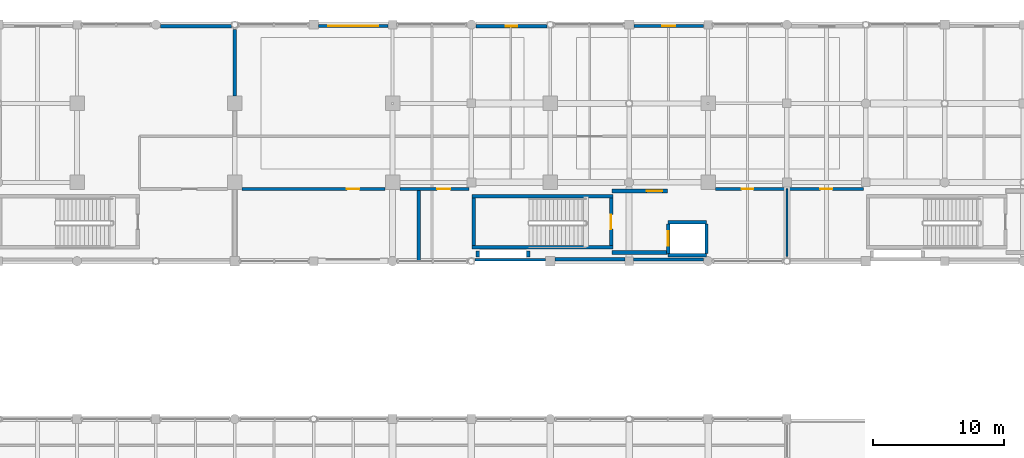
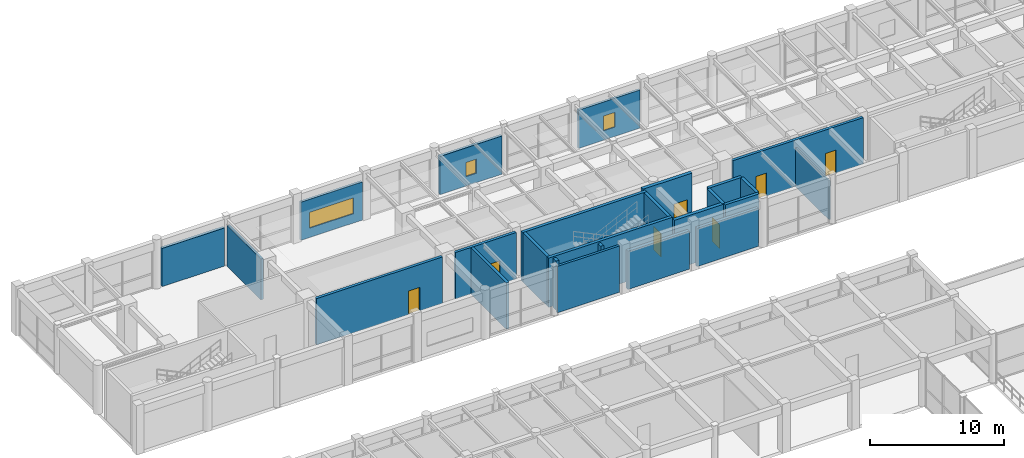
# One storey, part 92 of 116: 25 walls, 7 doors, 3 windows, 10 openings.
"""IFC4 building model written with IfcOpenShell, lengths in metres."""

from ifc_helpers import new_model, si_unit, direction, frame, frame_2d, origin, place, context, subcontext, project, spatial, rectangle, extrude, material, layer, layer_set, type_object, element, fill, save


model = new_model("IFC4")

# Units and contexts
model_context = context("Model", 3, precision=1e-05, world=origin(), true_north=direction((0.0, 1.0)))
body_context = subcontext(model_context, "Body", "Model", "MODEL_VIEW")
ifc_project = project(units=[si_unit("LENGTHUNIT", "METRE"), si_unit("AREAUNIT", "SQUARE_METRE"), si_unit("VOLUMEUNIT", "CUBIC_METRE"), si_unit("PLANEANGLEUNIT", "RADIAN"), si_unit("MASSUNIT", "GRAM", prefix="KILO"), si_unit("THERMODYNAMICTEMPERATUREUNIT", "KELVIN"), si_unit("POWERUNIT", "WATT")], contexts=[model_context])

# Site, building, storey
site_placement = place(None, origin())
site = spatial("IfcSite", under=ifc_project, at=site_placement, CompositionType="ELEMENT")
building_placement = place(site_placement, origin())
building = spatial("IfcBuilding", under=site, at=building_placement, Name="Phaisarnlok Congress Hotel", CompositionType="ELEMENT")
storey_placement = place(building_placement, frame((0.0, 0.0, 10.5)))
storey = spatial("IfcBuildingStorey", under=building, at=storey_placement, Name="L02", CompositionType="ELEMENT", Elevation=10.5)

# Wall
ifc_material_1 = material(Name="Concrete C40/50", Category="concrete")
ifc_layer_1 = layer(ifc_material_1, 0.2099609375, Name="Concrete C40/50")
ifc_layer_set_1 = layer_set([ifc_layer_1], Name="Concrete C40/50")
wall_type_1 = type_object("IfcWallType", Name="WL-EXT-210", PredefinedType="SOLIDWALL", material=ifc_layer_set_1)
wall_1_placement = place(storey_placement, frame((102.259033203125, 108.10498046875, 0.0), z_axis=(0.0, 0.0, 1.0), x_axis=(1.0, 0.0, 0.0)))
element("IfcWall", 1, at=wall_1_placement, inside=storey, type_object=wall_type_1, Name="Exterior wall EW-07 (L02)", PredefinedType="SOLIDWALL", context=body_context, shape_type="SweptSolid", body=[
    extrude(rectangle(XDim=5.385986328125, YDim=0.2099609375, at=frame_2d((2.69287109375, 0.0))), origin(), (0.0, 0.0, 1.0), 4.239990234375),
])

# Wall, opening, window
wall_2_placement = place(storey_placement, frame((119.669921875, 125.89501953125, 0.0), z_axis=(0.0, 0.0, 1.0), x_axis=(-1.0, 0.0, 0.0)))
wall_2 = element("IfcWall", 2, at=wall_2_placement, inside=storey, type_object=wall_type_1, Name="Exterior wall EW-07 (L02)", PredefinedType="SOLIDWALL", context=body_context, shape_type="SweptSolid", body=[
    extrude(rectangle(XDim=5.31494140625, YDim=0.2099609375, at=frame_2d((2.657470703125, 0.0))), origin(), (0.0, 0.0, 1.0), 3.489990234375),
])
opening_1_placement = place(wall_2_placement, frame((2.156982421875, 0.0, 0.85009765625)))
opening_1 = element("IfcOpeningElement", 3, at=opening_1_placement, cuts=wall_2, Name="Opening W-15", PredefinedType="OPENING", context=body_context, shape_type="SweptSolid", body=[
    extrude(rectangle(XDim=1.0, YDim=1.35009765625, at=frame_2d((0.5, 0.675048828125))), frame((0.0, 0.114990234375, 0.0), z_axis=(0.0, -1.0, 0.0), x_axis=(1.0, 0.0, 0.0)), (0.0, 0.0, 1.0), 0.22998046875),
])
ifc_material_2 = material(Name="Thermally Broken Aluminium & Low-E Double Glazing", Category="aluminium")
window_type_1 = type_object("IfcWindowType", Name="WIN-POD-1000", PartitioningType="SINGLE_PANEL", PredefinedType="WINDOW", material=ifc_material_2)
window_1_placement = place(opening_1_placement, origin())
window_1 = element("IfcWindow", 4, at=window_1_placement, inside=storey, type_object=window_type_1, Name="Podium window W-15 (L02)", OverallHeight=1.35009765625, OverallWidth=1.0, PartitioningType="SINGLE_PANEL", PredefinedType="WINDOW", context=body_context, shape_type="SweptSolid", body=[
    extrude(rectangle(XDim=1.0, YDim=1.35009765625, at=frame_2d((0.5, 0.675048828125))), frame((0.0, 0.030029296875, 0.0), z_axis=(0.0, -1.0, 0.0), x_axis=(1.0, 0.0, 0.0)), (0.0, 0.0, 1.0), 0.06005859375),
])
fill(opening_1, window_1)

wall_3_placement = place(storey_placement, frame((95.669921875, 125.89501953125, 0.0), z_axis=(0.0, 0.0, 1.0), x_axis=(-1.0, 0.0, 0.0)))
wall_3 = element("IfcWall", 5, at=wall_3_placement, inside=storey, type_object=wall_type_1, Name="Exterior wall EW-07 (L02)", PredefinedType="SOLIDWALL", context=body_context, shape_type="SweptSolid", body=[
    extrude(rectangle(XDim=5.31494140625, YDim=0.2099609375, at=frame_2d((2.657470703125, 0.0))), origin(), (0.0, 0.0, 1.0), 3.489990234375),
])
opening_2_placement = place(wall_3_placement, frame((0.757080078125, 0.0, 0.85009765625)))
opening_2 = element("IfcOpeningElement", 6, at=opening_2_placement, cuts=wall_3, Name="Opening W-17", PredefinedType="OPENING", context=body_context, shape_type="SweptSolid", body=[
    extrude(rectangle(XDim=3.800048828125, YDim=1.449951171875, at=frame_2d((1.89990234375, 0.72509765625))), frame((0.0, 0.114990234375, 0.0), z_axis=(0.0, -1.0, 0.0), x_axis=(1.0, 0.0, 0.0)), (0.0, 0.0, 1.0), 0.22998046875),
])
window_type_2 = type_object("IfcWindowType", Name="WIN-RIB-3800", PartitioningType="SINGLE_PANEL", PredefinedType="WINDOW", material=ifc_material_2)
window_2_placement = place(opening_2_placement, origin())
window_2 = element("IfcWindow", 7, at=window_2_placement, inside=storey, type_object=window_type_2, Name="Podium window W-17 (L02)", OverallHeight=1.449951171875, OverallWidth=3.800048828125, PartitioningType="SINGLE_PANEL", PredefinedType="WINDOW", context=body_context, shape_type="SweptSolid", body=[
    extrude(rectangle(XDim=3.800048828125, YDim=1.449951171875, at=frame_2d((1.89990234375, 0.72509765625))), frame((0.0, 0.030029296875, 0.0), z_axis=(0.0, -1.0, 0.0), x_axis=(1.0, 0.0, 0.0)), (0.0, 0.0, 1.0), 0.06005859375),
])
fill(opening_2, window_2)

# Wall
ifc_layer_2 = layer(ifc_material_1, 0.25, Name="Concrete C40/50")
ifc_layer_set_2 = layer_set([ifc_layer_2], Name="Concrete C40/50")
wall_type_2 = type_object("IfcWallType", Name="WL-EXT-250", PredefinedType="SOLIDWALL", material=ifc_layer_set_2)
wall_4_placement = place(storey_placement, frame((114.330078125, 108.125, 0.0), z_axis=(0.0, 0.0, 1.0), x_axis=(1.0, 0.0, 0.0)))
element("IfcWall", 8, at=wall_4_placement, inside=storey, type_object=wall_type_2, Name="Exterior wall EW-05 (L02)", PredefinedType="SOLIDWALL", context=body_context, shape_type="SweptSolid", body=[
    extrude(rectangle(XDim=5.31494140625, YDim=0.25, at=frame_2d((2.657470703125, 0.0))), origin(), (0.0, 0.0, 1.0), 3.489990234375),
])

# Wall, opening, window
wall_5_placement = place(storey_placement, frame((107.740966796875, 125.875, 0.0), z_axis=(0.0, 0.0, 1.0), x_axis=(-1.0, 0.0, 0.0)))
wall_5 = element("IfcWall", 9, at=wall_5_placement, inside=storey, type_object=wall_type_2, Name="Exterior wall EW-05 (L02)", PredefinedType="SOLIDWALL", context=body_context, shape_type="SweptSolid", body=[
    extrude(rectangle(XDim=5.385986328125, YDim=0.25, at=frame_2d((2.69287109375, 0.0))), origin(), (0.0, 0.0, 1.0), 3.489990234375),
])
opening_3_placement = place(wall_5_placement, frame((2.242919921875, 0.0, 0.85009765625)))
opening_3 = element("IfcOpeningElement", 10, at=opening_3_placement, cuts=wall_5, Name="Opening W-16", PredefinedType="OPENING", context=body_context, shape_type="SweptSolid", body=[
    extrude(rectangle(XDim=0.89990234375, YDim=1.300048828125, at=frame_2d((0.449951171875, 0.64990234375))), frame((0.0, 0.135009765625, 0.0), z_axis=(0.0, -1.0, 0.0), x_axis=(1.0, 0.0, 0.0)), (0.0, 0.0, 1.0), 0.27001953125),
])
window_type_3 = type_object("IfcWindowType", Name="WIN-POD-0900", PartitioningType="SINGLE_PANEL", PredefinedType="WINDOW", material=ifc_material_2)
window_3_placement = place(opening_3_placement, origin())
window_3 = element("IfcWindow", 11, at=window_3_placement, inside=storey, type_object=window_type_3, Name="Podium window W-16 (L02)", OverallHeight=1.300048828125, OverallWidth=0.89990234375, PartitioningType="SINGLE_PANEL", PredefinedType="WINDOW", context=body_context, shape_type="SweptSolid", body=[
    extrude(rectangle(XDim=0.89990234375, YDim=1.300048828125, at=frame_2d((0.449951171875, 0.64990234375))), frame((0.0, 0.030029296875, 0.0), z_axis=(0.0, -1.0, 0.0), x_axis=(1.0, 0.0, 0.0)), (0.0, 0.0, 1.0), 0.06005859375),
])
fill(opening_3, window_3)

# Walls
wall_6_placement = place(storey_placement, frame((83.740966796875, 125.875, 0.0), z_axis=(0.0, 0.0, 1.0), x_axis=(-1.0, 0.0, 0.0)))
element("IfcWall", 12, at=wall_6_placement, inside=storey, type_object=wall_type_2, Name="Exterior wall EW-05 (L02)", PredefinedType="SOLIDWALL", context=body_context, shape_type="SweptSolid", body=[
    extrude(rectangle(XDim=5.385986328125, YDim=0.25, at=frame_2d((2.69287109375, 0.0))), origin(), (0.0, 0.0, 1.0), 3.489990234375),
])
ifc_layer_3 = layer(ifc_material_1, 0.27001953125, Name="Concrete C40/50")
ifc_layer_set_3 = layer_set([ifc_layer_3], Name="Concrete C40/50")
wall_type_3 = type_object("IfcWallType", Name="WL-EXT-270", PredefinedType="SOLIDWALL", material=ifc_layer_set_3)
wall_7_placement = place(storey_placement, frame((108.35498046875, 108.135009765625, 0.0), z_axis=(0.0, 0.0, 1.0), x_axis=(1.0, 0.0, 0.0)))
element("IfcWall", 13, at=wall_7_placement, inside=storey, type_object=wall_type_3, Name="Exterior wall EW-04 (L02)", PredefinedType="SOLIDWALL", context=body_context, shape_type="SweptSolid", body=[
    extrude(rectangle(XDim=5.31494140625, YDim=0.27001953125, at=frame_2d((2.657470703125, 0.0))), origin(), (0.0, 0.0, 1.0), 3.489990234375),
])
ifc_material_3 = material(Name="Moisture-Resistant Gypsum Partition", Category="gypsum")
ifc_layer_4 = layer(ifc_material_3, 0.135009765625, Name="Moisture-Resistant Gypsum Partition")
ifc_layer_set_4 = layer_set([ifc_layer_4], Name="Moisture-Resistant Gypsum Partition")
wall_type_4 = type_object("IfcWallType", Name="WL-INT-135", PredefinedType="PARTITIONING", material=ifc_layer_set_4)
wall_8_placement = place(storey_placement, frame((126.0, 108.3701171875, 0.0), z_axis=(0.0, 0.0, 1.0), x_axis=(0.0, 1.0, 0.0)))
element("IfcWall", 14, at=wall_8_placement, inside=storey, type_object=wall_type_4, Name="Interior partition wall IW-06 (L02)", PredefinedType="PARTITIONING", context=body_context, shape_type="SweptSolid", body=[
    extrude(rectangle(XDim=5.1298828125, YDim=0.135009765625, at=frame_2d((2.56494140625, 0.0))), origin(), (0.0, 0.0, 1.0), 3.5400390625),
])
ifc_layer_5 = layer(ifc_material_1, 0.239990234375, Name="Concrete C40/50")
ifc_layer_set_5 = layer_set([ifc_layer_5], Name="Concrete C40/50")
wall_type_5 = type_object("IfcWallType", Name="WL-INT-240", PredefinedType="PARTITIONING", material=ifc_layer_set_5)
wall_9_placement = place(storey_placement, frame((84.0, 120.554931640625, 0.0), z_axis=(0.0, 0.0, 1.0), x_axis=(0.0, 1.0, 0.0)))
element("IfcWall", 15, at=wall_9_placement, inside=storey, type_object=wall_type_5, Name="Interior partition wall IW-01 (L02)", PredefinedType="PARTITIONING", context=body_context, shape_type="SweptSolid", body=[
    extrude(rectangle(XDim=5.074951171875, YDim=0.239990234375, at=frame_2d((2.53759765625, 0.0))), origin(), (0.0, 0.0, 1.0), 3.739990234375),
])
wall_10_placement = place(storey_placement, frame((98.0, 108.044921875, 0.0), z_axis=(0.0, 0.0, 1.0), x_axis=(0.0, 1.0, 0.0)))
element("IfcWall", 16, at=wall_10_placement, inside=storey, type_object=wall_type_5, Name="Interior partition wall IW-01 (L02)", PredefinedType="PARTITIONING", context=body_context, shape_type="SweptSolid", body=[
    extrude(rectangle(XDim=5.455078125, YDim=0.239990234375, at=frame_2d((2.7275390625, 0.0))), origin(), (0.0, 0.0, 1.0), 4.239990234375),
])

# Wall, opening, door
wall_11_placement = place(storey_placement, frame((84.554931640625, 113.5, 0.0), z_axis=(0.0, 0.0, 1.0), x_axis=(1.0, 0.0, 0.0)))
wall_11 = element("IfcWall", 17, at=wall_11_placement, inside=storey, type_object=wall_type_5, Name="Interior partition wall IW-01 (L02)", PredefinedType="PARTITIONING", context=body_context, shape_type="SweptSolid", body=[
    extrude(rectangle(XDim=10.89013671875, YDim=0.239990234375, at=frame_2d((5.445068359375, 0.0))), origin(), (0.0, 0.0, 1.0), 4.239990234375),
])
opening_4_placement = place(wall_11_placement, frame((7.965087890625, 0.0, 0.0)))
opening_4 = element("IfcOpeningElement", 18, at=opening_4_placement, cuts=wall_11, Name="Opening D-0100", PredefinedType="OPENING", context=body_context, shape_type="SweptSolid", body=[
    extrude(rectangle(XDim=0.9599609375, YDim=2.14990234375, at=frame_2d((0.47998046875, 1.074951171875))), frame((0.0, 0.1298828125, 0.0), z_axis=(0.0, -1.0, 0.0), x_axis=(1.0, 0.0, 0.0)), (0.0, 0.0, 1.0), 0.260009765625),
])
ifc_material_4 = material(Name="Fire-Rated Steel Frame & Timber Leaf", Category="steel")
door_type_1 = type_object("IfcDoorType", Name="DR-FD60-950", OperationType="NOTDEFINED", PredefinedType="DOOR", material=ifc_material_4)
door_1_placement = place(opening_4_placement, origin())
door_1 = element("IfcDoor", 19, at=door_1_placement, inside=storey, type_object=door_type_1, Name="Interior door D-0100 (L02)", OperationType="SINGLE_SWING_LEFT", OverallHeight=2.14990234375, OverallWidth=0.9599609375, PredefinedType="DOOR", context=body_context, shape_type="SweptSolid", body=[
    extrude(rectangle(XDim=0.9599609375, YDim=2.14990234375, at=frame_2d((0.47998046875, 1.074951171875))), frame((0.0, 0.02490234375, 0.0), z_axis=(0.0, -1.0, 0.0), x_axis=(1.0, 0.0, 0.0)), (0.0, 0.0, 1.0), 0.050048828125),
])
fill(opening_4, door_1)

wall_12_placement = place(storey_placement, frame((96.554931640625, 113.5, 0.0), z_axis=(0.0, 0.0, 1.0), x_axis=(1.0, 0.0, 0.0)))
wall_12 = element("IfcWall", 20, at=wall_12_placement, inside=storey, type_object=wall_type_5, Name="Interior partition wall IW-01 (L02)", PredefinedType="PARTITIONING", context=body_context, shape_type="SweptSolid", body=[
    extrude(rectangle(XDim=5.26513671875, YDim=0.239990234375, at=frame_2d((2.632568359375, 0.0))), origin(), (0.0, 0.0, 1.0), 4.239990234375),
])
opening_5_placement = place(wall_12_placement, frame((2.844970703125, 0.0, 0.0)))
opening_5 = element("IfcOpeningElement", 21, at=opening_5_placement, cuts=wall_12, Name="Opening D-0101", PredefinedType="OPENING", context=body_context, shape_type="SweptSolid", body=[
    extrude(rectangle(XDim=1.0, YDim=2.14990234375, at=frame_2d((0.5, 1.074951171875))), frame((0.0, 0.1298828125, 0.0), z_axis=(0.0, -1.0, 0.0), x_axis=(1.0, 0.0, 0.0)), (0.0, 0.0, 1.0), 0.260009765625),
])
ifc_material_5 = material(Name="Solid-Core Oak Veneer", Category="wood")
door_type_2 = type_object("IfcDoorType", Name="DR-INT-1000", OperationType="NOTDEFINED", PredefinedType="DOOR", material=ifc_material_5)
door_2_placement = place(opening_5_placement, origin())
door_2 = element("IfcDoor", 22, at=door_2_placement, inside=storey, type_object=door_type_2, Name="Interior door D-0101 (L02)", OperationType="SINGLE_SWING_RIGHT", OverallHeight=2.14990234375, OverallWidth=1.0, PredefinedType="DOOR", context=body_context, shape_type="SweptSolid", body=[
    extrude(rectangle(XDim=1.0, YDim=2.14990234375, at=frame_2d((0.5, 1.074951171875))), frame((0.0, 0.02490234375, 0.0), z_axis=(0.0, -1.0, 0.0), x_axis=(1.0, 0.0, 0.0)), (0.0, 0.0, 1.0), 0.050048828125),
])
fill(opening_5, door_2)

# Wall, openings, doors
wall_13_placement = place(storey_placement, frame((120.554931640625, 113.5, 0.0), z_axis=(0.0, 0.0, 1.0), x_axis=(1.0, 0.0, 0.0)))
wall_13 = element("IfcWall", 23, at=wall_13_placement, inside=storey, type_object=wall_type_5, Name="Interior partition wall IW-01 (L02)", PredefinedType="PARTITIONING", context=body_context, shape_type="SweptSolid", body=[
    extrude(rectangle(XDim=11.26513671875, YDim=0.239990234375, at=frame_2d((5.632568359375, 0.0))), origin(), (0.0, 0.0, 1.0), 4.239990234375),
])
opening_6_placement = place(wall_13_placement, frame((1.9951171875, 0.0, 0.0)))
opening_6 = element("IfcOpeningElement", 24, at=opening_6_placement, cuts=wall_13, Name="Opening D-0098", PredefinedType="OPENING", context=body_context, shape_type="SweptSolid", body=[
    extrude(rectangle(XDim=0.89990234375, YDim=2.10009765625, at=frame_2d((0.449951171875, 1.050048828125))), frame((0.0, 0.1298828125, 0.0), z_axis=(0.0, -1.0, 0.0), x_axis=(1.0, 0.0, 0.0)), (0.0, 0.0, 1.0), 0.260009765625),
])
opening_7_placement = place(wall_13_placement, frame((7.9951171875, 0.0, 0.0)))
opening_7 = element("IfcOpeningElement", 25, at=opening_7_placement, cuts=wall_13, Name="Opening D-0099", PredefinedType="OPENING", context=body_context, shape_type="SweptSolid", body=[
    extrude(rectangle(XDim=0.89990234375, YDim=2.10009765625, at=frame_2d((0.449951171875, 1.050048828125))), frame((0.0, 0.1298828125, 0.0), z_axis=(0.0, -1.0, 0.0), x_axis=(1.0, 0.0, 0.0)), (0.0, 0.0, 1.0), 0.260009765625),
])
door_type_3 = type_object("IfcDoorType", Name="DR-INT-900", OperationType="NOTDEFINED", PredefinedType="DOOR", material=ifc_material_5)
door_3_placement = place(opening_6_placement, origin())
door_3 = element("IfcDoor", 26, at=door_3_placement, inside=storey, type_object=door_type_3, Name="Interior door D-0098 (L02)", OperationType="SINGLE_SWING_LEFT", OverallHeight=2.10009765625, OverallWidth=0.89990234375, PredefinedType="DOOR", context=body_context, shape_type="SweptSolid", body=[
    extrude(rectangle(XDim=0.89990234375, YDim=2.10009765625, at=frame_2d((0.449951171875, 1.050048828125))), frame((0.0, 0.02490234375, 0.0), z_axis=(0.0, -1.0, 0.0), x_axis=(1.0, 0.0, 0.0)), (0.0, 0.0, 1.0), 0.050048828125),
])
fill(opening_6, door_3)
door_4_placement = place(opening_7_placement, origin())
door_4 = element("IfcDoor", 27, at=door_4_placement, inside=storey, type_object=door_type_3, Name="Interior door D-0099 (L02)", OperationType="SINGLE_SWING_RIGHT", OverallHeight=2.10009765625, OverallWidth=0.89990234375, PredefinedType="DOOR", context=body_context, shape_type="SweptSolid", body=[
    extrude(rectangle(XDim=0.89990234375, YDim=2.10009765625, at=frame_2d((0.449951171875, 1.050048828125))), frame((0.0, 0.02490234375, 0.0), z_axis=(0.0, -1.0, 0.0), x_axis=(1.0, 0.0, 0.0)), (0.0, 0.0, 1.0), 0.050048828125),
])
fill(opening_7, door_4)

# Walls
ifc_material_6 = material(Name="Concrete C50/60", Category="concrete")
ifc_layer_6 = layer(ifc_material_6, 0.260009765625, Name="Concrete C50/60")
ifc_layer_set_6 = layer_set([ifc_layer_6], Name="Concrete C50/60")
wall_type_6 = type_object("IfcWallType", Name="WL-SHR-260", PredefinedType="SHEAR", material=ifc_layer_set_6)
for number, where, z_axis, x_axis, name in (
    (28, (102.0400390625, 109.070068359375, 0.0), (0.0, 0.0, 1.0), (1.0, 0.0, 0.0), "Stair shaft shear wall SW-04 (CORE-4 L02)"),
    (29, (102.0400390625, 112.929931640625, 0.0), (0.0, 0.0, 1.0), (1.0, 0.0, 0.0), "Stair shaft shear wall SW-04 (CORE-4 L02)"),
):
    element("IfcWall", number, at=place(storey_placement, frame(where, z_axis=z_axis, x_axis=x_axis)), inside=storey, type_object=wall_type_6, Name=name, PredefinedType="SHEAR", context=body_context, shape_type="SweptSolid", body=[
        extrude(rectangle(XDim=10.719970703125, YDim=0.260009765625, at=frame_2d((5.35986328125, 0.0))), origin(), (0.0, 0.0, 1.0), 4.5),
    ])
wall_14_placement = place(storey_placement, frame((102.169921875, 109.199951171875, 0.0), z_axis=(0.0, 0.0, 1.0), x_axis=(0.0, 1.0, 0.0)))
element("IfcWall", 30, at=wall_14_placement, inside=storey, type_object=wall_type_6, Name="Stair shaft shear wall SW-04 (CORE-4 L02)", PredefinedType="SHEAR", context=body_context, shape_type="SweptSolid", body=[
    extrude(rectangle(XDim=3.60009765625, YDim=0.260009765625, at=frame_2d((1.800048828125, 0.0))), origin(), (0.0, 0.0, 1.0), 4.5),
])

# Wall, opening, door
wall_15_placement = place(storey_placement, frame((112.6298828125, 109.199951171875, 0.0), z_axis=(0.0, 0.0, 1.0), x_axis=(0.0, 1.0, 0.0)))
wall_15 = element("IfcWall", 31, at=wall_15_placement, inside=storey, type_object=wall_type_6, Name="Stair shaft shear wall SW-04 (CORE-4 L02)", PredefinedType="SHEAR", context=body_context, shape_type="SweptSolid", body=[
    extrude(rectangle(XDim=3.60009765625, YDim=0.260009765625, at=frame_2d((1.800048828125, 0.0))), origin(), (0.0, 0.0, 1.0), 4.5),
])
opening_8_placement = place(wall_15_placement, frame((1.25, 0.0, 0.0)))
opening_8 = element("IfcOpeningElement", 32, at=opening_8_placement, cuts=wall_15, Name="Opening FD-094", PredefinedType="OPENING", context=body_context, shape_type="SweptSolid", body=[
    extrude(rectangle(XDim=1.10009765625, YDim=2.14990234375, at=frame_2d((0.550048828125, 1.074951171875))), frame((0.0, 0.14013671875, 0.0), z_axis=(0.0, -1.0, 0.0), x_axis=(1.0, 0.0, 0.0)), (0.0, 0.0, 1.0), 0.280029296875),
])
door_type_4 = type_object("IfcDoorType", Name="DR-FD60-1100", OperationType="NOTDEFINED", PredefinedType="DOOR", material=ifc_material_4)
door_5_placement = place(opening_8_placement, origin())
door_5 = element("IfcDoor", 33, at=door_5_placement, inside=storey, type_object=door_type_4, Name="Stair enclosure fire door FD-094 (L02)", OperationType="SINGLE_SWING_LEFT", OverallHeight=2.14990234375, OverallWidth=1.10009765625, PredefinedType="DOOR", context=body_context, shape_type="SweptSolid", body=[
    extrude(rectangle(XDim=1.10009765625, YDim=2.14990234375, at=frame_2d((0.550048828125, 1.074951171875))), frame((0.0, 0.02490234375, 0.0), z_axis=(0.0, -1.0, 0.0), x_axis=(1.0, 0.0, 0.0)), (0.0, 0.0, 1.0), 0.050048828125),
])
fill(opening_8, door_5)

# Walls
for number, where, z_axis, x_axis, name in (
    (34, (116.969970703125, 108.469970703125, 0.0), (0.0, 0.0, 1.0), (1.0, 0.0, 0.0), "Lift shaft shear wall SW-04 (LF-HP4 L02)"),
    (35, (116.969970703125, 110.97998046875, 0.0), (0.0, 0.0, 1.0), (1.0, 0.0, 0.0), "Lift shaft shear wall SW-04 (LF-HP4 L02)"),
):
    element("IfcWall", number, at=place(storey_placement, frame(where, z_axis=z_axis, x_axis=x_axis)), inside=storey, type_object=wall_type_6, Name=name, PredefinedType="SHEAR", context=body_context, shape_type="SweptSolid", body=[
        extrude(rectangle(XDim=2.909912109375, YDim=0.260009765625, at=frame_2d((1.455078125, 0.0))), origin(), (0.0, 0.0, 1.0), 4.5),
    ])
wall_16_placement = place(storey_placement, frame((119.8798828125, 108.60009765625, 0.0), z_axis=(0.0, 0.0, 1.0), x_axis=(0.0, 1.0, 0.0)))
element("IfcWall", 36, at=wall_16_placement, inside=storey, type_object=wall_type_6, Name="Lift shaft shear wall SW-04 (LF-HP4 L02)", PredefinedType="SHEAR", context=body_context, shape_type="SweptSolid", body=[
    extrude(rectangle(XDim=2.25, YDim=0.260009765625, at=frame_2d((1.125, 0.0))), origin(), (0.0, 0.0, 1.0), 4.5),
])

# Wall, opening, door
wall_17_placement = place(storey_placement, frame((116.969970703125, 108.60009765625, 0.0), z_axis=(0.0, 0.0, 1.0), x_axis=(0.0, 1.0, 0.0)))
wall_17 = element("IfcWall", 37, at=wall_17_placement, inside=storey, type_object=wall_type_6, Name="Lift shaft front wall SW-04 (LF-HP4 L02)", PredefinedType="SHEAR", context=body_context, shape_type="SweptSolid", body=[
    extrude(rectangle(XDim=2.25, YDim=0.260009765625, at=frame_2d((1.125, 0.0))), origin(), (0.0, 0.0, 1.0), 4.5),
])
opening_9_placement = place(wall_17_placement, frame((0.574951171875, 0.0, 0.0)))
opening_9 = element("IfcOpeningElement", 38, at=opening_9_placement, cuts=wall_17, Name="Opening LD-094", PredefinedType="OPENING", context=body_context, shape_type="SweptSolid", body=[
    extrude(rectangle(XDim=1.10009765625, YDim=2.199951171875, at=frame_2d((0.550048828125, 1.10009765625))), frame((0.0, 0.14013671875, 0.0), z_axis=(0.0, -1.0, 0.0), x_axis=(1.0, 0.0, 0.0)), (0.0, 0.0, 1.0), 0.280029296875),
])
ifc_material_7 = material(Name="Brushed Stainless Steel Grade 304", Category="steel")
door_type_5 = type_object("IfcDoorType", Name="DR-LD-1100", OperationType="DOUBLE_DOOR_SLIDING", PredefinedType="DOOR", material=ifc_material_7)
door_6_placement = place(opening_9_placement, origin())
door_6 = element("IfcDoor", 39, at=door_6_placement, inside=storey, type_object=door_type_5, Name="Lift landing sliding door LD-094 (LF-HP4 L02)", OperationType="DOUBLE_DOOR_SLIDING", OverallHeight=2.199951171875, OverallWidth=1.10009765625, PredefinedType="DOOR", context=body_context, shape_type="SweptSolid", body=[
    extrude(rectangle(XDim=1.10009765625, YDim=2.199951171875, at=frame_2d((0.550048828125, 1.10009765625))), frame((0.0, 0.02490234375, 0.0), z_axis=(0.0, -1.0, 0.0), x_axis=(1.0, 0.0, 0.0)), (0.0, 0.0, 1.0), 0.050048828125),
])
fill(opening_9, door_6)

# Walls
for number, where, z_axis, x_axis, name in (
    (40, (102.469970703125, 108.330078125, 0.0), (0.0, 0.0, 1.0), (0.0, 1.0, 0.0), "Service riser shaft wall SW-04 (CORE-4 L02)"),
    (41, (106.330078125, 108.330078125, 0.0), (0.0, 0.0, 1.0), (0.0, 1.0, 0.0), "Service riser shaft wall SW-04 (CORE-4 L02)"),
):
    element("IfcWall", number, at=place(storey_placement, frame(where, z_axis=z_axis, x_axis=x_axis)), inside=storey, type_object=wall_type_6, Name=name, PredefinedType="SHEAR", context=body_context, shape_type="SweptSolid", body=[
        extrude(rectangle(XDim=0.43994140625, YDim=0.260009765625, at=frame_2d((0.219970703125, 0.0))), origin(), (0.0, 0.0, 1.0), 4.5),
    ])

# Wall, opening, door
ifc_layer_7 = layer(ifc_material_6, 0.300048828125, Name="Concrete C50/60")
ifc_layer_set_7 = layer_set([ifc_layer_7], Name="Concrete C50/60")
wall_type_7 = type_object("IfcWallType", Name="WL-SHR-300", PredefinedType="SHEAR", material=ifc_layer_set_7)
wall_18_placement = place(storey_placement, frame((112.679931640625, 113.35009765625, 0.0), z_axis=(0.0, 0.0, 1.0), x_axis=(1.0, 0.0, 0.0)))
wall_18 = element("IfcWall", 42, at=wall_18_placement, inside=storey, type_object=wall_type_7, Name="Core lobby EI-120 wall SW-03 (CORE-4 L02)", PredefinedType="SHEAR", context=body_context, shape_type="SweptSolid", body=[
    extrude(rectangle(XDim=4.239990234375, YDim=0.300048828125, at=frame_2d((2.1201171875, 0.0))), origin(), (0.0, 0.0, 1.0), 4.5),
])
opening_10_placement = place(wall_18_placement, frame((2.64990234375, 0.0, 0.0)))
opening_10 = element("IfcOpeningElement", 43, at=opening_10_placement, cuts=wall_18, Name="Opening FD-109", PredefinedType="OPENING", context=body_context, shape_type="SweptSolid", body=[
    extrude(rectangle(XDim=1.199951171875, YDim=2.199951171875, at=frame_2d((0.60009765625, 1.10009765625))), frame((0.0, 0.16015625, 0.0), z_axis=(0.0, -1.0, 0.0), x_axis=(1.0, 0.0, 0.0)), (0.0, 0.0, 1.0), 0.320068359375),
])
door_type_6 = type_object("IfcDoorType", Name="DR-FD60-1200", OperationType="NOTDEFINED", PredefinedType="DOOR", material=ifc_material_4)
door_7_placement = place(opening_10_placement, origin())
door_7 = element("IfcDoor", 44, at=door_7_placement, inside=storey, type_object=door_type_6, Name="Firefighting lobby entrance door FD-109 (CORE-4 L02)", OperationType="SINGLE_SWING_RIGHT", OverallHeight=2.199951171875, OverallWidth=1.199951171875, PredefinedType="DOOR", context=body_context, shape_type="SweptSolid", body=[
    extrude(rectangle(XDim=1.199951171875, YDim=2.199951171875, at=frame_2d((0.60009765625, 1.10009765625))), frame((0.0, 0.02490234375, 0.0), z_axis=(0.0, -1.0, 0.0), x_axis=(1.0, 0.0, 0.0)), (0.0, 0.0, 1.0), 0.050048828125),
])
fill(opening_10, door_7)

# Wall
wall_19_placement = place(storey_placement, frame((112.679931640625, 108.64990234375, 0.0), z_axis=(0.0, 0.0, 1.0), x_axis=(1.0, 0.0, 0.0)))
element("IfcWall", 45, at=wall_19_placement, inside=storey, type_object=wall_type_7, Name="Core lobby EI-120 wall SW-03 (CORE-4 L02)", PredefinedType="SHEAR", context=body_context, shape_type="SweptSolid", body=[
    extrude(rectangle(XDim=4.239990234375, YDim=0.300048828125, at=frame_2d((2.1201171875, 0.0))), origin(), (0.0, 0.0, 1.0), 4.5),
])

save(model, "model.ifc")
